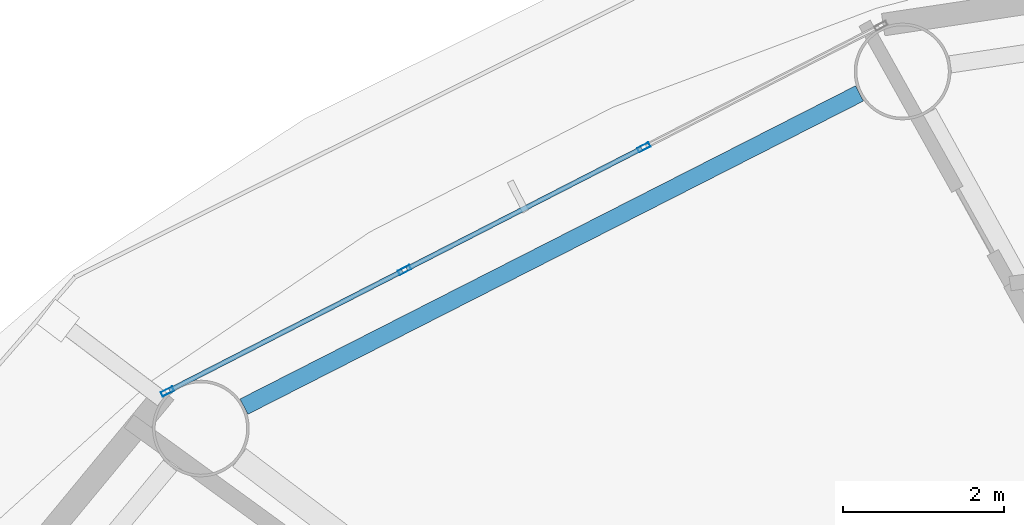
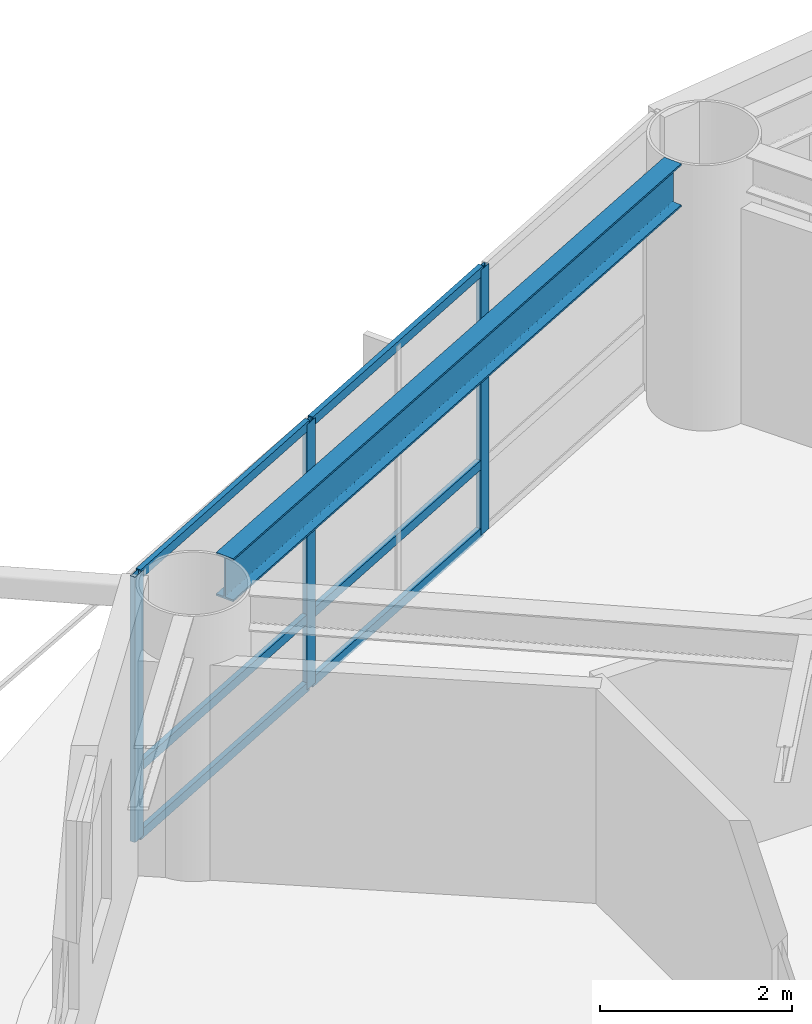
# One storey, part 11 of 27: 9 members, 1 beam, 1 element without a shape of its own.
"""IFC4 building model written with IfcOpenShell, lengths in metres."""

import ifcopenshell
import ifcopenshell.guid

model = None  # the IFC model being written
_history = None  # IfcOwnerHistory: only IFC2X3 demands one
_inside = {}  # id of a spatial element -> (the spatial element, [elements in it])
_under = {}  # id of a project, library or spatial element -> (it, [spatial elements below it])
_declared = {}  # id of a project -> (the project, [libraries it declares])
_typed = {}  # id of a type object -> (the type object, [elements of that type])
_made_of = {}  # id of a material, layer set ... -> (it, [elements and type objects made of it])


def new_model(schema):
    """Start an empty IFC model of exactly this schema.

    Asked for "IFC4X3", IfcOpenShell would pick the latest addendum, in which some entities
    have other attributes; the version numbers below select the first issue.
    IFC2X3 requires an IfcOwnerHistory on every rooted entity: one is made here for all.
    """
    global model, _history
    if schema == "IFC4X3":
        model = ifcopenshell.file(schema_version=(4, 3, 0, 0))
    else:
        model = ifcopenshell.file(schema=schema)
    _inside.clear()
    _under.clear()
    _declared.clear()
    _typed.clear()
    _made_of.clear()
    _history = None
    if model.schema == "IFC2X3":
        org = make("IfcOrganization", Name="unknown")
        user = make(
            "IfcPersonAndOrganization",
            ThePerson=make("IfcPerson", FamilyName="unknown"),
            TheOrganization=org,
        )
        app = make(
            "IfcApplication",
            ApplicationDeveloper=org,
            Version="unknown",
            ApplicationFullName="unknown",
            ApplicationIdentifier="unknown",
        )
        _history = make(
            "IfcOwnerHistory",
            OwningUser=user,
            OwningApplication=app,
            ChangeAction="ADDED",
            CreationDate=0,
        )
    return model


def make(cls, **values):
    """One entity of the class cls with the attributes given. An attribute that is None is left unset."""
    return model.create_entity(
        cls, **{name: value for name, value in values.items() if value is not None}
    )


def rooted(cls, **values):
    """An entity with a GlobalId (a new one), such as an element, a storey or a relation."""
    return make(cls, GlobalId=ifcopenshell.guid.new(), OwnerHistory=_history, **values)


def si_unit(unit_type, name, prefix=None):
    """IfcSIUnit, for example si_unit("LENGTHUNIT", "METRE", prefix="MILLI")."""
    return make("IfcSIUnit", UnitType=unit_type, Prefix=prefix, Name=name)


def assignment(units):
    """IfcUnitAssignment: the units of a project."""
    return None if units is None else make("IfcUnitAssignment", Units=units)


def point(xyz):
    """IfcCartesianPoint."""
    return None if xyz is None else make("IfcCartesianPoint", Coordinates=xyz)


def direction(xyz):
    """IfcDirection."""
    return None if xyz is None else make("IfcDirection", DirectionRatios=xyz)


def frame(location, z_axis=None, x_axis=None):
    """IfcAxis2Placement3D, a coordinate frame: its origin and axes. An axis left out is left unset."""
    return make(
        "IfcAxis2Placement3D",
        Location=point(location),
        Axis=direction(z_axis),
        RefDirection=direction(x_axis),
    )


def frame_2d(location, x_axis=None):
    """IfcAxis2Placement2D, a coordinate frame in the plane: its origin and x axis."""
    return make(
        "IfcAxis2Placement2D", Location=point(location), RefDirection=direction(x_axis)
    )


def origin():
    """The frame at (0, 0, 0) with its axes left unset."""
    return frame((0.0, 0.0, 0.0))


def origin_2d():
    """The frame at (0, 0) in the plane with its x axis left unset."""
    return frame_2d((0.0, 0.0))


def place(relative_to, where):
    """IfcLocalPlacement: puts the frame where relative to a parent placement (None: the world)."""
    return make(
        "IfcLocalPlacement", PlacementRelTo=relative_to, RelativePlacement=where
    )


def context(
    kind, dimensions, precision=None, world=None, true_north=None, identifier=None
):
    """IfcGeometricRepresentationContext, for example the 3D "Model" context."""
    return make(
        "IfcGeometricRepresentationContext",
        ContextIdentifier=identifier,
        ContextType=kind,
        CoordinateSpaceDimension=dimensions,
        Precision=precision,
        WorldCoordinateSystem=world,
        TrueNorth=true_north,
    )


def subcontext(parent, identifier, kind, view, scale=None):
    """IfcGeometricRepresentationSubContext, for example "Body" below "Model"."""
    return make(
        "IfcGeometricRepresentationSubContext",
        ContextIdentifier=identifier,
        ContextType=kind,
        ParentContext=parent,
        TargetScale=scale,
        TargetView=view,
    )


def project(units=None, contexts=None):
    """IfcProject with its units and contexts."""
    return rooted(
        "IfcProject",
        Name="project",
        RepresentationContexts=contexts,
        UnitsInContext=assignment(units),
    )


def spatial(cls, under=None, at=None, **own):
    """A site, building, storey or space (cls), placed at a placement, below another one or the project."""
    s = rooted(cls, ObjectPlacement=at, **own)
    if under is not None:
        _under.setdefault(under.id(), (under, []))[1].append(s)
    return s


def profile(cls, at=None, kind="AREA", **sizes):
    """A parametric profile (cls). Its sizes go by their IFC names, for example OverallWidth=200.0."""
    return make(cls, ProfileType=kind, Position=at, **sizes)


def hollow_rectangle(**sizes):
    """IfcRectangleHollowProfileDef."""
    return profile("IfcRectangleHollowProfileDef", **sizes)


def i_section(**sizes):
    """IfcIShapeProfileDef."""
    return profile("IfcIShapeProfileDef", **sizes)


def extrude(swept, where, along, depth):
    """IfcExtrudedAreaSolid: the profile swept, set in the frame where, extruded along a direction by depth."""
    return make(
        "IfcExtrudedAreaSolid",
        SweptArea=swept,
        Position=where,
        ExtrudedDirection=direction(along),
        Depth=depth,
    )


def shape(context_of_items, identifier, shape_type, items):
    """IfcShapeRepresentation: the items that make up one representation, for example the "Body"."""
    return make(
        "IfcShapeRepresentation",
        ContextOfItems=context_of_items,
        RepresentationIdentifier=identifier,
        RepresentationType=shape_type,
        Items=items,
    )


def material(Name=None, Category=None):
    """IfcMaterial."""
    return make("IfcMaterial", Name=Name, Category=Category)


def layer(
    of_material, thickness, ventilated=None, Name=None, Category=None, Priority=None
):
    """IfcMaterialLayer: one layer of a wall or slab, of a material (None: an air gap)."""
    return make(
        "IfcMaterialLayer",
        Material=of_material,
        LayerThickness=thickness,
        IsVentilated=ventilated,
        Name=Name,
        Category=Category,
        Priority=Priority,
    )


def layer_set(layers, Name=None):
    """IfcMaterialLayerSet."""
    return make("IfcMaterialLayerSet", MaterialLayers=layers, LayerSetName=Name)


def material_profile(
    of_material, cross_section, Name=None, Category=None, Priority=None
):
    """IfcMaterialProfile: a cross section and its material."""
    return make(
        "IfcMaterialProfile",
        Name=Name,
        Material=of_material,
        Profile=cross_section,
        Priority=Priority,
        Category=Category,
    )


def profile_set(profiles, Name=None, composite=None):
    """IfcMaterialProfileSet."""
    return make(
        "IfcMaterialProfileSet",
        Name=Name,
        MaterialProfiles=profiles,
        CompositeProfile=composite,
    )


def made_of(thing, what):
    """Note that an element or type object is made of a material, layer set ...; save() writes the relation."""
    if what is not None:
        _made_of.setdefault(what.id(), (what, []))[1].append(thing)
    return thing


def type_object(cls, material=None, **own):
    """A type object (cls), such as IfcWallType, which elements share."""
    return made_of(rooted(cls, **own), material)


def element(
    cls,
    number,
    at=None,
    inside=None,
    cuts=None,
    type_object=None,
    material=None,
    context=None,
    identifier="Body",
    shape_type=None,
    held_by="IfcProductDefinitionShape",
    body=None,
    shapes=None,
    **own,
):
    """One element of the class cls, such as IfcWall. Its Tag is "e" and its number.

    at: its placement. inside: the storey or other place that contains it. cuts: it is an
    opening in that element (IfcRelVoidsElement). A single representation is given by context,
    identifier, shape_type and body (its items); several are given by shapes. held_by: the class
    of the entity that holds the representations. save() writes the other relations.
    """
    e = rooted(cls, Tag="e%d" % number, ObjectPlacement=at, **own)
    if body is not None:
        shapes = [shape(context, identifier, shape_type, body)]
    if shapes is not None:
        e.Representation = make(held_by, Representations=shapes)
    if inside is not None:
        _inside.setdefault(inside.id(), (inside, []))[1].append(e)
    if cuts is not None:
        rooted(
            "IfcRelVoidsElement", RelatingBuildingElement=cuts, RelatedOpeningElement=e
        )
    if type_object is not None:
        _typed.setdefault(type_object.id(), (type_object, []))[1].append(e)
    return made_of(e, material)


def aggregate(whole, parts):
    """IfcRelAggregates: a whole, such as a stair, and the parts it consists of."""
    return rooted("IfcRelAggregates", RelatingObject=whole, RelatedObjects=parts)


def save(model, path):
    """Write the relations noted so far, then the file.

    IfcRelAggregates (storeys below a building ...), IfcRelContainedInSpatialStructure (elements
    in a storey), IfcRelDefinesByType, IfcRelAssociatesMaterial and IfcRelDeclares: one each for
    every whole, place, type object, material and project.
    """
    for whole, parts in _under.values():
        aggregate(whole, parts)
    for where, things in _inside.values():
        rooted(
            "IfcRelContainedInSpatialStructure",
            RelatedElements=things,
            RelatingStructure=where,
        )
    for kind, things in _typed.values():
        rooted("IfcRelDefinesByType", RelatedObjects=things, RelatingType=kind)
    for what, things in _made_of.values():
        rooted("IfcRelAssociatesMaterial", RelatedObjects=things, RelatingMaterial=what)
    for by, libraries in _declared.values():
        rooted("IfcRelDeclares", RelatingContext=by, RelatedDefinitions=libraries)
    model.write(path)


model = new_model("IFC4")

# Units and contexts
model_context = context("Model", 3, precision=1e-05, world=origin(), true_north=direction((0.0, 1.0)))
body_context = subcontext(model_context, "Body", "Model", "MODEL_VIEW")
ifc_project = project(units=[si_unit("LENGTHUNIT", "METRE"), si_unit("AREAUNIT", "SQUARE_METRE"), si_unit("VOLUMEUNIT", "CUBIC_METRE"), si_unit("PLANEANGLEUNIT", "RADIAN"), si_unit("MASSUNIT", "GRAM", prefix="KILO")], contexts=[model_context])

# Site, building, storey
site_placement = place(None, origin())
site = spatial("IfcSite", under=ifc_project, at=site_placement, CompositionType="ELEMENT")
building_placement = place(site_placement, origin())
building = spatial("IfcBuilding", under=site, at=building_placement, Name="Sarneth Arch Tower", CompositionType="ELEMENT")
storey_placement = place(building_placement, frame((0.0, 0.0, 186.60009765625)))
storey = spatial("IfcBuildingStorey", under=building, at=storey_placement, Name="L47", CompositionType="ELEMENT", Elevation=186.60009765625)

# Beam
ifc_material_1 = material(Name="Steel S355", Category="steel")
ifc_material_profile_1 = material_profile(ifc_material_1, i_section(OverallWidth=0.214111328125, OverallDepth=0.549072265625, WebThickness=0.0146484375, FlangeThickness=0.023681640625, FilletRadius=0.01806640625, at=origin_2d()), Name="W530x138")
ifc_profile_set_1 = profile_set([ifc_material_profile_1], Name="Steel S355")
beam_type = type_object("IfcBeamType", Name="BM-RAD-530A", PredefinedType="BEAM", material=ifc_profile_set_1)
beam_placement = place(storey_placement, frame((37.04345703125, 60.621337890625, 3.10546875), z_axis=(-0.891250372735, -0.453511601945, 0.0), x_axis=(0.453511601945, -0.891250372735, 0.0)))
element("IfcBeam", 1, at=beam_placement, inside=storey, type_object=beam_type, Name="L47 Perimeter spandrel beam 06", PredefinedType="BEAM", context=body_context, shape_type="SweptSolid", body=[
    extrude(i_section(OverallWidth=0.214111328125, OverallDepth=0.549072265625, WebThickness=0.0146484375, FlangeThickness=0.023681640625, FilletRadius=0.01806640625, at=origin_2d()), origin(), (0.0, 0.0, 1.0), 8.5751953125),
])

# Curtain wall, members
ifc_material_2 = material(Name="Anodised aluminium Type AA25 and solar-control low-e laminated IGU", Category="aluminium")
ifc_layer = layer(ifc_material_2, 0.169921875)
ifc_layer_set = layer_set([ifc_layer], Name="Anodised aluminium Type AA25 and solar-control low-e laminated IGU")
curtain_wall_type = type_object("IfcCurtainWallType", Name="CW-RES-MID", PredefinedType="NOTDEFINED", material=ifc_layer_set)
curtain_wall_placement = place(storey_placement, origin())
curtain_wall = element("IfcCurtainWall", 2, at=curtain_wall_placement, inside=storey, type_object=curtain_wall_type, Name="L47 Unitised curtain wall facet 06", PredefinedType="NOTDEFINED")
ifc_material_3 = material(Name="Anodised Aluminium 6063-T6", Category="aluminium")
ifc_material_profile_2 = material_profile(ifc_material_3, hollow_rectangle(XDim=0.06005859375, YDim=0.159912109375, WallThickness=0.00390625, at=origin_2d()), Name="AL-MULL-160x60x4")
ifc_profile_set_2 = profile_set([ifc_material_profile_2], Name="Anodised Aluminium 6063-T6")
member_type_1 = type_object("IfcMemberType", Name="CW-MULLION", PredefinedType="MULLION", material=ifc_profile_set_2)
member_1_placement = place(storey_placement, frame((34.365966796875, 59.9521484375, 0.0), z_axis=(0.0, 0.0, 1.0), x_axis=(0.456208470329, -0.88987293003, 0.0)))
member_1 = element("IfcMember", 3, at=member_1_placement, type_object=member_type_1, Name="CW-SYS-5 mullion 2", PredefinedType="MULLION", context=body_context, shape_type="SweptSolid", body=[
    extrude(hollow_rectangle(XDim=0.06005859375, YDim=0.159912109375, WallThickness=0.00390625, at=origin_2d()), origin(), (0.0, 0.0, 1.0), 3.3798828125),
])
member_2_placement = place(storey_placement, frame((31.39501953125, 58.428955078125, 0.0), z_axis=(0.0, 0.0, 1.0), x_axis=(0.456208470329, -0.88987293003, 0.0)))
member_2 = element("IfcMember", 4, at=member_2_placement, type_object=member_type_1, Name="CW-SYS-5 mullion 3", PredefinedType="MULLION", context=body_context, shape_type="SweptSolid", body=[
    extrude(hollow_rectangle(XDim=0.06005859375, YDim=0.159912109375, WallThickness=0.00390625, at=origin_2d()), origin(), (0.0, 0.0, 1.0), 3.3798828125),
])
member_3_placement = place(storey_placement, frame((28.450439453125, 56.91943359375, 0.0), z_axis=(0.0, 0.0, 1.0), x_axis=(0.456208470329, -0.88987293003, 0.0)))
member_3 = element("IfcMember", 5, at=member_3_placement, type_object=member_type_1, Name="CW-SYS-5 mullion 4", PredefinedType="MULLION", context=body_context, shape_type="SweptSolid", body=[
    extrude(hollow_rectangle(XDim=0.06005859375, YDim=0.159912109375, WallThickness=0.00390625, at=origin_2d()), origin(), (0.0, 0.0, 1.0), 3.3798828125),
])
ifc_material_4 = material(Name="Anodised Aluminium 6063-T6", Category="aluminium")
ifc_material_profile_3 = material_profile(ifc_material_4, hollow_rectangle(XDim=0.06005859375, YDim=0.1201171875, WallThickness=0.00390625, at=origin_2d()), Name="AL-TRAN-120x60x4")
ifc_profile_set_3 = profile_set([ifc_material_profile_3], Name="Anodised Aluminium 6063-T6")
member_type_2 = type_object("IfcMemberType", Name="CW-TRANSOM", PredefinedType="USERDEFINED", material=ifc_profile_set_3)
member_4_placement = place(storey_placement, frame((34.33935546875, 59.9384765625, 0.02978515625), z_axis=(-0.889869396751, -0.45621536222, 0.0), x_axis=(0.45621536222, -0.889869396751, 0.0)))
member_4 = element("IfcMember", 6, at=member_4_placement, type_object=member_type_2, Name="CW-SYS-5 transom 2.1", ObjectType="TRANSOM", PredefinedType="USERDEFINED", context=body_context, shape_type="SweptSolid", body=[
    extrude(hollow_rectangle(XDim=0.06005859375, YDim=0.1201171875, WallThickness=0.00390625, at=origin_2d()), origin(), (0.0, 0.0, 1.0), 3.27880859375),
])
member_5_placement = place(storey_placement, frame((34.33935546875, 59.9384765625, 0.89990234375), z_axis=(-0.889869396751, -0.45621536222, 0.0), x_axis=(0.45621536222, -0.889869396751, 0.0)))
member_5 = element("IfcMember", 7, at=member_5_placement, type_object=member_type_2, Name="CW-SYS-5 transom 2.2", ObjectType="TRANSOM", PredefinedType="USERDEFINED", context=body_context, shape_type="SweptSolid", body=[
    extrude(hollow_rectangle(XDim=0.06005859375, YDim=0.1201171875, WallThickness=0.00390625, at=origin_2d()), origin(), (0.0, 0.0, 1.0), 3.27880859375),
])
member_6_placement = place(storey_placement, frame((34.33935546875, 59.9384765625, 3.349853515625), z_axis=(-0.889869396751, -0.45621536222, 0.0), x_axis=(0.45621536222, -0.889869396751, 0.0)))
member_6 = element("IfcMember", 8, at=member_6_placement, type_object=member_type_2, Name="CW-SYS-5 transom 2.3", ObjectType="TRANSOM", PredefinedType="USERDEFINED", context=body_context, shape_type="SweptSolid", body=[
    extrude(hollow_rectangle(XDim=0.06005859375, YDim=0.1201171875, WallThickness=0.00390625, at=origin_2d()), origin(), (0.0, 0.0, 1.0), 3.27880859375),
])
member_7_placement = place(storey_placement, frame((31.3681640625, 58.415283203125, 0.02978515625), z_axis=(-0.889857362344, -0.456238835131, 0.0), x_axis=(0.456238835131, -0.889857362344, 0.0)))
member_7 = element("IfcMember", 9, at=member_7_placement, type_object=member_type_2, Name="CW-SYS-5 transom 3.1", ObjectType="TRANSOM", PredefinedType="USERDEFINED", context=body_context, shape_type="SweptSolid", body=[
    extrude(hollow_rectangle(XDim=0.06005859375, YDim=0.1201171875, WallThickness=0.00390625, at=origin_2d()), origin(), (0.0, 0.0, 1.0), 3.248779296875),
])
member_8_placement = place(storey_placement, frame((31.3681640625, 58.415283203125, 0.89990234375), z_axis=(-0.889857362344, -0.456238835131, 0.0), x_axis=(0.456238835131, -0.889857362344, 0.0)))
member_8 = element("IfcMember", 10, at=member_8_placement, type_object=member_type_2, Name="CW-SYS-5 transom 3.2", ObjectType="TRANSOM", PredefinedType="USERDEFINED", context=body_context, shape_type="SweptSolid", body=[
    extrude(hollow_rectangle(XDim=0.06005859375, YDim=0.1201171875, WallThickness=0.00390625, at=origin_2d()), origin(), (0.0, 0.0, 1.0), 3.248779296875),
])
member_9_placement = place(storey_placement, frame((31.3681640625, 58.415283203125, 3.349853515625), z_axis=(-0.889857362344, -0.456238835131, 0.0), x_axis=(0.456238835131, -0.889857362344, 0.0)))
member_9 = element("IfcMember", 11, at=member_9_placement, type_object=member_type_2, Name="CW-SYS-5 transom 3.3", ObjectType="TRANSOM", PredefinedType="USERDEFINED", context=body_context, shape_type="SweptSolid", body=[
    extrude(hollow_rectangle(XDim=0.06005859375, YDim=0.1201171875, WallThickness=0.00390625, at=origin_2d()), origin(), (0.0, 0.0, 1.0), 3.248779296875),
])
aggregate(curtain_wall, [member_1, member_2, member_3, member_4, member_5, member_6, member_7, member_8, member_9])

save(model, "model.ifc")
